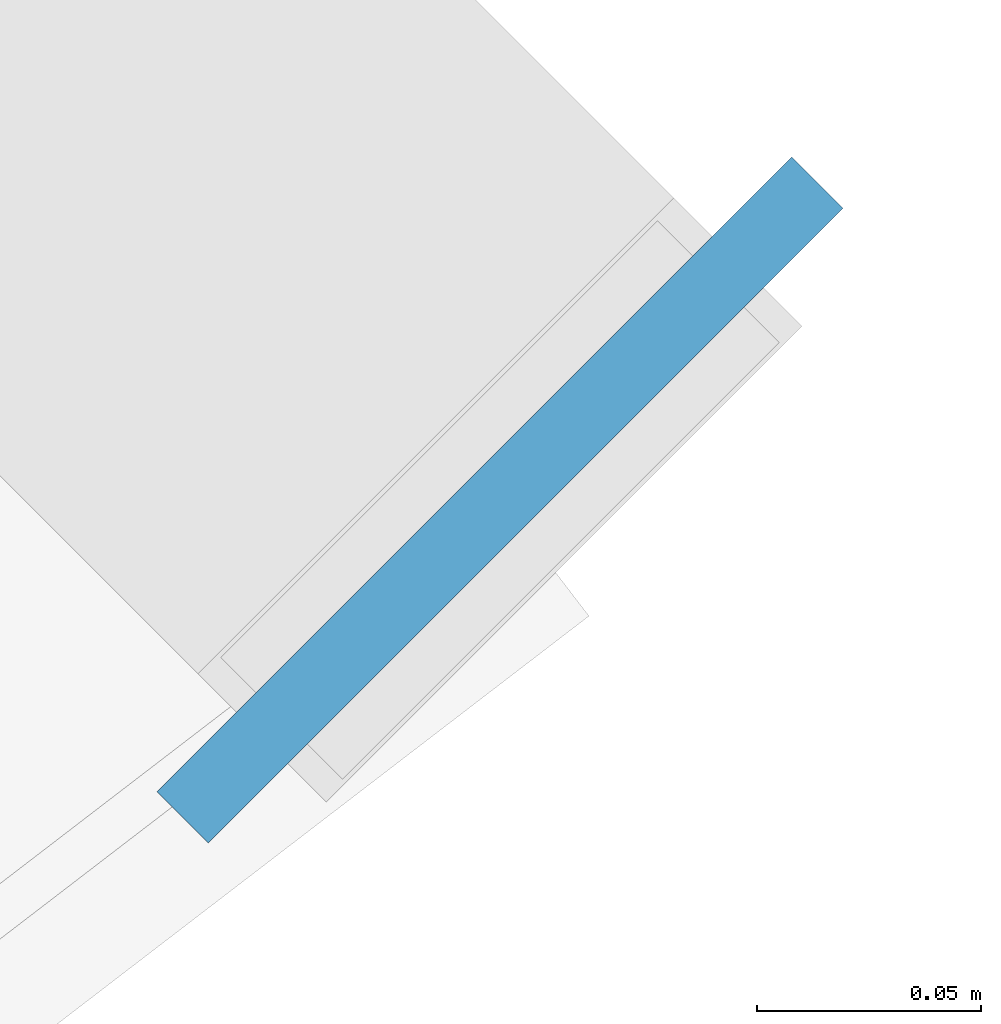
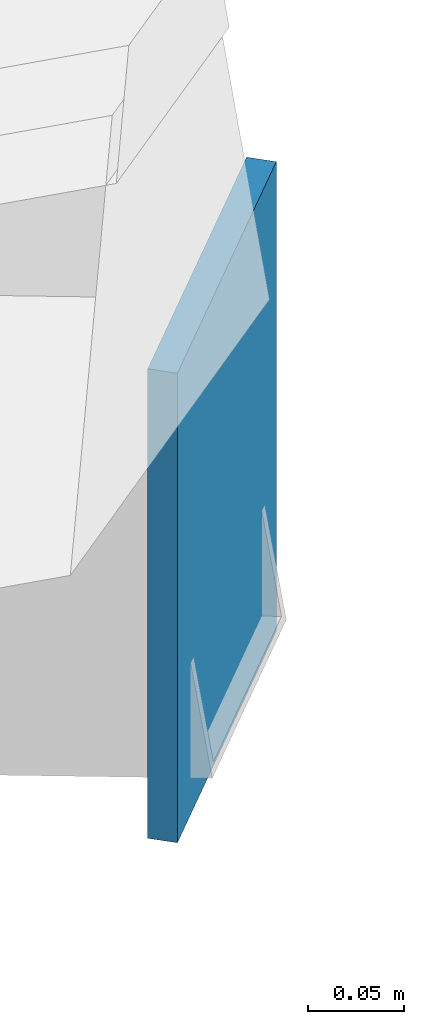
# One storey, part 154 of 185: 1 plate.
"""IFC4 building model written with IfcOpenShell, lengths in metres."""

from ifc_helpers import new_model, si_unit, direction, frame, origin, origin_2d, place, context, subcontext, project, spatial, rectangle, extrude, material, layer, layer_set, type_object, element, save


model = new_model("IFC4")

# Units and contexts
model_context = context("Model", 3, precision=1e-05, world=origin(), true_north=direction((0.0, 1.0)))
body_context = subcontext(model_context, "Body", "Model", "MODEL_VIEW")
ifc_project = project(units=[si_unit("LENGTHUNIT", "METRE"), si_unit("AREAUNIT", "SQUARE_METRE"), si_unit("VOLUMEUNIT", "CUBIC_METRE"), si_unit("PLANEANGLEUNIT", "RADIAN"), si_unit("MASSUNIT", "GRAM", prefix="KILO")], contexts=[model_context])

# Site, building, storey
site_placement = place(None, origin())
site = spatial("IfcSite", under=ifc_project, at=site_placement, CompositionType="ELEMENT")
building_placement = place(site_placement, origin())
building = spatial("IfcBuilding", under=site, at=building_placement, Name="Vondelvale Polytechnic", CompositionType="ELEMENT")
storey_placement = place(building_placement, frame((0.0, 0.0, 9.60009765625)))
storey = spatial("IfcBuildingStorey", under=building, at=storey_placement, Name="L02", CompositionType="ELEMENT", Elevation=9.60009765625)

# Plate
ifc_material = material(Name="Steel Grade 350 (fy = 340 MPa)", Category="steel")
ifc_layer = layer(ifc_material, 0.01611328125)
ifc_layer_set = layer_set([ifc_layer], Name="PLATE-CAP-300x200")
plate_type = type_object("IfcPlateType", Name="PLATE-CAP-300x200", PredefinedType="USERDEFINED", material=ifc_layer_set)
plate_placement = place(storey_placement, frame((136.365478515625, 37.634521484375, 3.61572265625), z_axis=(0.0, 0.0, 1.0), x_axis=(-0.707106781187, 0.707106781187, 0.0)))
element("IfcPlate", 1, at=plate_placement, inside=storey, type_object=plate_type, Name="Ring step rafter end cap plate 20O", ObjectType="CAP_PLATE", PredefinedType="USERDEFINED", context=body_context, shape_type="SweptSolid", body=[
    extrude(rectangle(XDim=0.01611328125, YDim=0.199951171875, at=origin_2d()), origin(), (0.0, 0.0, 1.0), 0.300048828125),
])

save(model, "model.ifc")
